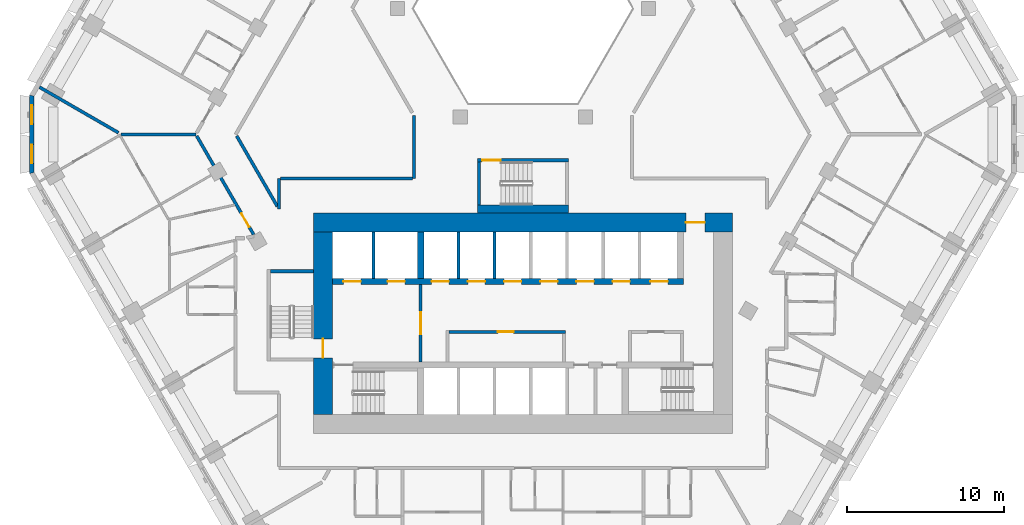
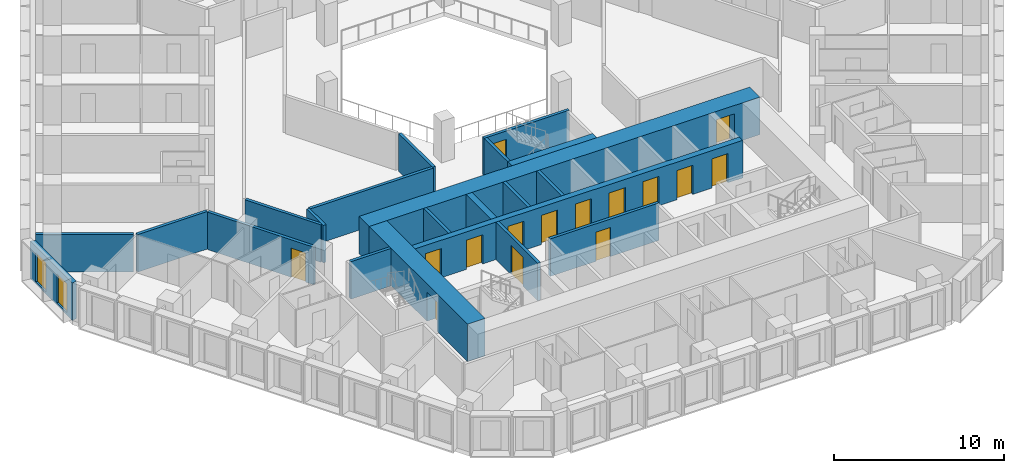
# One storey, part 5 of 21: 21 walls, 15 doors, 2 windows, 17 openings.
"""IFC4 building model written with IfcOpenShell, lengths in metres."""

from ifc_helpers import new_model, si_unit, direction, frame, frame_2d, origin, place, context, subcontext, project, spatial, polyline, rectangle, outline, extrude, material, layer, layer_set, type_object, element, fill, save


model = new_model("IFC4")

# Units and contexts
model_context = context("Model", 3, precision=1e-05, world=origin(), true_north=direction((0.0, 1.0)))
body_context = subcontext(model_context, "Body", "Model", "MODEL_VIEW")
ifc_project = project(units=[si_unit("LENGTHUNIT", "METRE"), si_unit("AREAUNIT", "SQUARE_METRE"), si_unit("VOLUMEUNIT", "CUBIC_METRE"), si_unit("PLANEANGLEUNIT", "RADIAN"), si_unit("MASSUNIT", "GRAM", prefix="KILO")], contexts=[model_context])

# Site, building, storey
site_placement = place(None, origin())
site = spatial("IfcSite", under=ifc_project, at=site_placement, CompositionType="ELEMENT")
building_placement = place(site_placement, origin())
building = spatial("IfcBuilding", under=site, at=building_placement, Name="Beryl Residences", CompositionType="ELEMENT")
storey_placement = place(building_placement, frame((0.0, 0.0, 53.39990234375)))
storey = spatial("IfcBuildingStorey", under=building, at=storey_placement, Name="L16", CompositionType="ELEMENT", Elevation=53.39990234375)

# Wall, openings, windows
ifc_material_1 = material(Name="Composite metal panel with mineral wool insulation")
ifc_layer_1 = layer(ifc_material_1, 0.300048828125)
ifc_layer_set_1 = layer_set([ifc_layer_1], Name="ES1 pale metal composite panel wall 300 mm")
wall_type_1 = type_object("IfcWallType", Name="ES1 pale metal composite panel wall 300 mm", PredefinedType="SOLIDWALL", material=ifc_layer_set_1)
wall_1_placement = place(storey_placement, frame((-31.199951171875, 2.5, 0.0), z_axis=(0.0, 0.0, 1.0), x_axis=(0.0, -1.0, 0.0)))
wall_1 = element("IfcWall", 1, at=wall_1_placement, inside=storey, type_object=wall_type_1, Name="ES1 external wall L16 NW-SW", PredefinedType="SOLIDWALL", context=body_context, shape_type="SweptSolid", body=[
    extrude(outline(polyline([(0.0, -0.14990234375), (5.0, -0.14990234375), (4.919677734375, 0.14990234375), (0.080322265625, 0.14990234375), (0.0, -0.14990234375)])), origin(), (0.0, 0.0, 1.0), 2.7001953125),
])
opening_1_placement = place(wall_1_placement, frame((0.64990234375, 0.0, 0.14990234375)))
opening_1 = element("IfcOpeningElement", 2, at=opening_1_placement, cuts=wall_1, Name="Opening W2", PredefinedType="OPENING", context=body_context, shape_type="SweptSolid", body=[
    extrude(rectangle(XDim=1.199951171875, YDim=2.10009765625, at=frame_2d((0.60009765625, 1.050048828125))), frame((0.0, 0.159912109375, 0.0), z_axis=(0.0, -1.0, 0.0), x_axis=(1.0, 0.0, 0.0)), (0.0, 0.0, 1.0), 0.320068359375),
])
opening_2_placement = place(wall_1_placement, frame((3.14990234375, 0.0, 0.14990234375)))
opening_2 = element("IfcOpeningElement", 3, at=opening_2_placement, cuts=wall_1, Name="Opening W2", PredefinedType="OPENING", context=body_context, shape_type="SweptSolid", body=[
    extrude(rectangle(XDim=1.199951171875, YDim=2.10009765625, at=frame_2d((0.60009765625, 1.050048828125))), frame((0.0, 0.159912109375, 0.0), z_axis=(0.0, -1.0, 0.0), x_axis=(1.0, 0.0, 0.0)), (0.0, 0.0, 1.0), 0.320068359375),
])
ifc_material_2 = material(Name="Aluminium and clear glass", Category="aluminium")
window_type = type_object("IfcWindowType", Name="W2 chamfer window 1200 x 2100 mm", PartitioningType="SINGLE_PANEL", PredefinedType="WINDOW", material=ifc_material_2)
window_1_placement = place(opening_1_placement, origin())
window_1 = element("IfcWindow", 4, at=window_1_placement, inside=storey, type_object=window_type, Name="W2 window L16 NW-SW 1", OverallHeight=2.10009765625, OverallWidth=1.199951171875, PartitioningType="SINGLE_PANEL", PredefinedType="WINDOW", context=body_context, shape_type="SweptSolid", body=[
    extrude(rectangle(XDim=1.199951171875, YDim=2.10009765625, at=frame_2d((0.60009765625, 1.050048828125))), frame((0.0, 0.030029296875, 0.0), z_axis=(0.0, -1.0, 0.0), x_axis=(1.0, 0.0, 0.0)), (0.0, 0.0, 1.0), 0.06005859375),
])
fill(opening_1, window_1)
window_2_placement = place(opening_2_placement, origin())
window_2 = element("IfcWindow", 5, at=window_2_placement, inside=storey, type_object=window_type, Name="W2 window L16 NW-SW 2", OverallHeight=2.10009765625, OverallWidth=1.199951171875, PartitioningType="SINGLE_PANEL", PredefinedType="WINDOW", context=body_context, shape_type="SweptSolid", body=[
    extrude(rectangle(XDim=1.199951171875, YDim=2.10009765625, at=frame_2d((0.60009765625, 1.050048828125))), frame((0.0, 0.030029296875, 0.0), z_axis=(0.0, -1.0, 0.0), x_axis=(1.0, 0.0, 0.0)), (0.0, 0.0, 1.0), 0.06005859375),
])
fill(opening_2, window_2)

# Wall, opening, door
ifc_material_3 = material(Name="Concrete masonry", Category="masonry")
ifc_layer_2 = layer(ifc_material_3, 0.199951171875)
ifc_layer_set_2 = layer_set([ifc_layer_2], Name="PT13 lobby wall 200 mm")
wall_type_2 = type_object("IfcWallType", Name="PT13 lobby wall 200 mm", PredefinedType="PARTITIONING", material=ifc_layer_set_2)
wall_2_placement = place(storey_placement, frame((-6.5, -14.449951171875, 0.0), z_axis=(0.0, 0.0, 1.0), x_axis=(0.0, 1.0, 0.0)))
wall_2 = element("IfcWall", 6, at=wall_2_placement, inside=storey, type_object=wall_type_2, Name="Lobby wall 06", PredefinedType="PARTITIONING", context=body_context, shape_type="SweptSolid", body=[
    extrude(rectangle(XDim=4.89990234375, YDim=0.199951171875, at=frame_2d((2.449951171875, 0.0))), origin(), (0.0, 0.0, 1.0), 2.7001953125),
])
opening_3_placement = place(wall_2_placement, frame((3.14990234375, 0.0, 0.0), z_axis=(0.0, 0.0, 1.0), x_axis=(-1.0, 0.0, 0.0)))
opening_3 = element("IfcOpeningElement", 7, at=opening_3_placement, cuts=wall_2, Name="Opening FD-FFL", PredefinedType="OPENING", context=body_context, shape_type="SweptSolid", body=[
    extrude(rectangle(XDim=1.39990234375, YDim=2.10009765625, at=frame_2d((0.699951171875, 1.050048828125))), frame((0.0, 0.10986328125, 0.0), z_axis=(0.0, -1.0, 0.0), x_axis=(1.0, 0.0, 0.0)), (0.0, 0.0, 1.0), 0.219970703125),
])
ifc_material_4 = material(Name="Steel door leaf in steel frame", Category="steel")
door_type_1 = type_object("IfcDoorType", Name="D5 lobby door 1400 x 2100 mm", OperationType="DOUBLE_DOOR_SINGLE_SWING", PredefinedType="DOOR", material=ifc_material_4)
door_1_placement = place(opening_3_placement, origin())
door_1 = element("IfcDoor", 8, at=door_1_placement, inside=storey, type_object=door_type_1, Name="Door FD-FFL L16 001", OperationType="DOUBLE_DOOR_SINGLE_SWING", OverallHeight=2.10009765625, OverallWidth=1.39990234375, PredefinedType="DOOR", context=body_context, shape_type="SweptSolid", body=[
    extrude(rectangle(XDim=1.39990234375, YDim=2.10009765625, at=frame_2d((0.699951171875, 1.050048828125))), frame((0.0, 0.02490234375, 0.0), z_axis=(0.0, -1.0, 0.0), x_axis=(1.0, 0.0, 0.0)), (0.0, 0.0, 1.0), 0.050048828125),
])
fill(opening_3, door_1)

wall_3_placement = place(storey_placement, frame((-4.699951171875, -12.550048828125, 0.0), z_axis=(0.0, 0.0, 1.0), x_axis=(1.0, 0.0, 0.0)))
wall_3 = element("IfcWall", 9, at=wall_3_placement, inside=storey, type_object=wall_type_2, Name="Lobby wall 08", PredefinedType="PARTITIONING", context=body_context, shape_type="SweptSolid", body=[
    extrude(rectangle(XDim=7.39990234375, YDim=0.199951171875, at=frame_2d((3.699951171875, 0.0))), origin(), (0.0, 0.0, 1.0), 2.7001953125),
])
opening_4_placement = place(wall_3_placement, frame((4.10009765625, 0.0, 0.0), z_axis=(0.0, 0.0, 1.0), x_axis=(-1.0, 0.0, 0.0)))
opening_4 = element("IfcOpeningElement", 10, at=opening_4_placement, cuts=wall_3, Name="Opening CD-D-A1", PredefinedType="OPENING", context=body_context, shape_type="SweptSolid", body=[
    extrude(rectangle(XDim=1.0, YDim=2.10009765625, at=frame_2d((0.5, 1.050048828125))), frame((0.0, 0.10986328125, 0.0), z_axis=(0.0, -1.0, 0.0), x_axis=(1.0, 0.0, 0.0)), (0.0, 0.0, 1.0), 0.219970703125),
])
ifc_material_5 = material(Name="Steel door leaf in steel frame", Category="steel")
door_type_2 = type_object("IfcDoorType", Name="D18 service room door 1000 x 2100 mm", OperationType="SINGLE_SWING_LEFT", PredefinedType="DOOR", material=ifc_material_5)
door_2_placement = place(opening_4_placement, origin())
door_2 = element("IfcDoor", 11, at=door_2_placement, inside=storey, type_object=door_type_2, Name="Door CD-D-A1 L16 001", OperationType="SINGLE_SWING_RIGHT", OverallHeight=2.10009765625, OverallWidth=1.0, PredefinedType="DOOR", context=body_context, shape_type="SweptSolid", body=[
    extrude(rectangle(XDim=1.0, YDim=2.10009765625, at=frame_2d((0.5, 1.050048828125))), frame((0.0, 0.02490234375, 0.0), z_axis=(0.0, -1.0, 0.0), x_axis=(1.0, 0.0, 0.0)), (0.0, 0.0, 1.0), 0.050048828125),
])
fill(opening_4, door_2)

# Walls
ifc_material_6 = material(Name="Acoustic double stud gypsum board wall")
ifc_layer_3 = layer(ifc_material_6, 0.199951171875)
ifc_layer_set_3 = layer_set([ifc_layer_3], Name="PT3 party wall 200 mm acoustic double stud")
wall_type_3 = type_object("IfcWallType", Name="PT3 party wall 200 mm acoustic double stud", PredefinedType="PARTITIONING", material=ifc_layer_set_3)
wall_4_placement = place(storey_placement, frame((-30.716064453125, 2.9990234375, 0.0), z_axis=(0.0, 0.0, 1.0), x_axis=(0.866032775405, -0.499987231761, 0.0)))
element("IfcWall", 12, at=wall_4_placement, inside=storey, type_object=wall_type_3, Name="Wall PT3 L16 009", PredefinedType="PARTITIONING", context=body_context, shape_type="SweptSolid", body=[
    extrude(rectangle(XDim=5.800048828125, YDim=0.199951171875, at=frame_2d((2.89990234375, 0.0))), origin(), (0.0, 0.0, 1.0), 2.7001953125),
])
wall_5_placement = place(storey_placement, frame((-25.52001953125, -0.0009765625, 0.0), z_axis=(0.0, 0.0, 1.0), x_axis=(1.0, 0.0, 0.0)))
element("IfcWall", 13, at=wall_5_placement, inside=storey, type_object=wall_type_3, Name="Wall PT3 L16 014", PredefinedType="PARTITIONING", context=body_context, shape_type="SweptSolid", body=[
    extrude(rectangle(XDim=4.736083984375, YDim=0.199951171875, at=frame_2d((2.3681640625, 0.0))), origin(), (0.0, 0.0, 1.0), 2.7001953125),
])
ifc_material_7 = material(Name="Double stud gypsum board wall")
ifc_layer_4 = layer(ifc_material_7, 0.199951171875)
ifc_layer_set_4 = layer_set([ifc_layer_4], Name="PT4 corridor wall 200 mm double stud")
wall_type_4 = type_object("IfcWallType", Name="PT4 corridor wall 200 mm double stud", PredefinedType="PARTITIONING", material=ifc_layer_set_4)
wall_6_placement = place(storey_placement, frame((-18.18603515625, -0.10107421875, 0.0), z_axis=(0.0, 0.0, 1.0), x_axis=(0.499997591167, -0.86602679452, 0.0)))
element("IfcWall", 14, at=wall_6_placement, inside=storey, type_object=wall_type_4, Name="Wall PT4 L16 002", PredefinedType="PARTITIONING", context=body_context, shape_type="SweptSolid", body=[
    extrude(rectangle(XDim=5.171875, YDim=0.199951171875, at=frame_2d((2.5859375, 0.0))), origin(), (0.0, 0.0, 1.0), 2.7001953125),
])

# Wall, opening, door
wall_7_placement = place(storey_placement, frame((-20.72705078125, -0.10107421875, 0.0), z_axis=(0.0, 0.0, 1.0), x_axis=(0.500070814966, -0.865984514884, 0.0)))
wall_7 = element("IfcWall", 15, at=wall_7_placement, inside=storey, type_object=wall_type_4, Name="Wall PT4 L16 003", PredefinedType="PARTITIONING", context=body_context, shape_type="SweptSolid", body=[
    extrude(rectangle(XDim=7.2392578125, YDim=0.199951171875, at=frame_2d((3.61962890625, 0.0))), origin(), (0.0, 0.0, 1.0), 2.7001953125),
])
opening_5_placement = place(wall_7_placement, frame((5.680908203125, 0.0, 0.0)))
opening_5 = element("IfcOpeningElement", 16, at=opening_5_placement, cuts=wall_7, Name="Opening D0211", PredefinedType="OPENING", context=body_context, shape_type="SweptSolid", body=[
    extrude(rectangle(XDim=1.0, YDim=2.10009765625, at=frame_2d((0.5, 1.050048828125))), frame((0.0, 0.10986328125, 0.0), z_axis=(0.0, -1.0, 0.0), x_axis=(1.0, 0.0, 0.0)), (0.0, 0.0, 1.0), 0.219970703125),
])
ifc_material_8 = material(Name="Timber door leaf", Category="wood")
door_type_3 = type_object("IfcDoorType", Name="D1 flat entrance door 1000 x 2100 mm", OperationType="SINGLE_SWING_LEFT", PredefinedType="DOOR", material=ifc_material_8)
door_3_placement = place(opening_5_placement, origin())
door_3 = element("IfcDoor", 17, at=door_3_placement, inside=storey, type_object=door_type_3, Name="Door D0211 L16 001", OperationType="SINGLE_SWING_LEFT", OverallHeight=2.10009765625, OverallWidth=1.0, PredefinedType="DOOR", context=body_context, shape_type="SweptSolid", body=[
    extrude(rectangle(XDim=1.0, YDim=2.10009765625, at=frame_2d((0.5, 1.050048828125))), frame((0.0, 0.02490234375, 0.0), z_axis=(0.0, -1.0, 0.0), x_axis=(1.0, 0.0, 0.0)), (0.0, 0.0, 1.0), 0.050048828125),
])
fill(opening_5, door_3)

# Walls
wall_8_placement = place(storey_placement, frame((-15.39990234375, -2.800048828125, 0.0), z_axis=(0.0, 0.0, 1.0), x_axis=(1.0, 0.0, 0.0)))
element("IfcWall", 18, at=wall_8_placement, inside=storey, type_object=wall_type_4, Name="Wall PT4 L16 015", PredefinedType="PARTITIONING", context=body_context, shape_type="SweptSolid", body=[
    extrude(rectangle(XDim=8.371826171875, YDim=0.199951171875, at=frame_2d((4.18603515625, 0.0))), origin(), (0.0, 0.0, 1.0), 2.7001953125),
])
wall_9_placement = place(storey_placement, frame((-6.927978515625, -2.800048828125, 0.0), z_axis=(0.0, 0.0, 1.0), x_axis=(0.0, 1.0, 0.0)))
element("IfcWall", 19, at=wall_9_placement, inside=storey, type_object=wall_type_4, Name="Wall PT4 L16 032", PredefinedType="PARTITIONING", context=body_context, shape_type="SweptSolid", body=[
    extrude(rectangle(XDim=4.0, YDim=0.199951171875, at=frame_2d((2.0, 0.0))), origin(), (0.0, 0.0, 1.0), 2.7001953125),
])
wall_10_placement = place(storey_placement, frame((-15.5, -4.75390625, 0.0), z_axis=(0.0, 0.0, 1.0), x_axis=(0.0, 1.0, 0.0)))
element("IfcWall", 20, at=wall_10_placement, inside=storey, type_object=wall_type_4, Name="Wall PT4 L16 033", PredefinedType="PARTITIONING", context=body_context, shape_type="SweptSolid", body=[
    extrude(rectangle(XDim=1.953857421875, YDim=0.199951171875, at=frame_2d((0.97705078125, 0.0))), origin(), (0.0, 0.0, 1.0), 2.7001953125),
])

# Wall, opening, door
ifc_material_9 = material(Name="Concrete C40/50", Category="concrete")
ifc_layer_5 = layer(ifc_material_9, 0.199951171875)
ifc_layer_set_5 = layer_set([ifc_layer_5], Name="PT5 stair enclosure wall 200 mm reinforced concrete C40/50")
wall_type_5 = type_object("IfcWallType", Name="PT5 stair enclosure wall 200 mm reinforced concrete C40/50", PredefinedType="SOLIDWALL", material=ifc_layer_set_5)
wall_11_placement = place(storey_placement, frame((-2.89990234375, -1.64990234375, 0.0), z_axis=(0.0, 0.0, 1.0), x_axis=(1.0, 0.0, 0.0)))
wall_11 = element("IfcWall", 21, at=wall_11_placement, inside=storey, type_object=wall_type_5, Name="Wall PT5 L16 001", PredefinedType="SOLIDWALL", context=body_context, shape_type="SweptSolid", body=[
    extrude(rectangle(XDim=5.7998046875, YDim=0.199951171875, at=frame_2d((2.89990234375, 0.0))), origin(), (0.0, 0.0, 1.0), 2.7001953125),
])
opening_6_placement = place(wall_11_placement, frame((0.300048828125, 0.0, 0.0)))
opening_6 = element("IfcOpeningElement", 22, at=opening_6_placement, cuts=wall_11, Name="Opening DS04", PredefinedType="OPENING", context=body_context, shape_type="SweptSolid", body=[
    extrude(rectangle(XDim=1.199951171875, YDim=2.10009765625, at=frame_2d((0.60009765625, 1.050048828125))), frame((0.0, 0.10986328125, 0.0), z_axis=(0.0, -1.0, 0.0), x_axis=(1.0, 0.0, 0.0)), (0.0, 0.0, 1.0), 0.219970703125),
])
ifc_material_10 = material(Name="Steel door leaf in steel frame", Category="steel")
door_type_4 = type_object("IfcDoorType", Name="D4 stair door 1200 x 2100 mm", OperationType="SINGLE_SWING_LEFT", PredefinedType="DOOR", material=ifc_material_10)
door_4_placement = place(opening_6_placement, origin())
door_4 = element("IfcDoor", 23, at=door_4_placement, inside=storey, type_object=door_type_4, Name="Door DS04 L16 001", OperationType="SINGLE_SWING_LEFT", OverallHeight=2.10009765625, OverallWidth=1.199951171875, PredefinedType="DOOR", context=body_context, shape_type="SweptSolid", body=[
    extrude(rectangle(XDim=1.199951171875, YDim=2.10009765625, at=frame_2d((0.60009765625, 1.050048828125))), frame((0.0, 0.02490234375, 0.0), z_axis=(0.0, -1.0, 0.0), x_axis=(1.0, 0.0, 0.0)), (0.0, 0.0, 1.0), 0.050048828125),
])
fill(opening_6, door_4)

# Walls
for number, where, z_axis, x_axis, name in (
    (24, (-2.800048828125, -4.5, 0.0), (0.0, 0.0, 1.0), (0.0, 1.0, 0.0), "Wall PT5 L16 002"),
    (25, (-16.050048828125, -8.699951171875, 0.0), (0.0, 0.0, 1.0), (1.0, 0.0, 0.0), "Stair wall 03"),
):
    element("IfcWall", number, at=place(storey_placement, frame(where, z_axis=z_axis, x_axis=x_axis)), inside=storey, type_object=wall_type_5, Name=name, PredefinedType="SOLIDWALL", context=body_context, shape_type="SweptSolid", body=[
        extrude(rectangle(XDim=2.75, YDim=0.199951171875, at=frame_2d((1.375, 0.0))), origin(), (0.0, 0.0, 1.0), 2.7001953125),
    ])
ifc_material_11 = material(Name="Concrete C40/50", Category="concrete")
ifc_layer_6 = layer(ifc_material_11, 0.5)
ifc_layer_set_6 = layer_set([ifc_layer_6], Name="PT5-500 stair enclosure wall 500 mm")
wall_type_6 = type_object("IfcWallType", Name="PT5-500 stair enclosure wall 500 mm", PredefinedType="SOLIDWALL", material=ifc_layer_set_6)
wall_12_placement = place(storey_placement, frame((-2.89990234375, -4.75, 0.0), z_axis=(0.0, 0.0, 1.0), x_axis=(1.0, 0.0, 0.0)))
element("IfcWall", 26, at=wall_12_placement, inside=storey, type_object=wall_type_6, Name="Wall PT5-500 L16 001", PredefinedType="SOLIDWALL", context=body_context, shape_type="SweptSolid", body=[
    extrude(rectangle(XDim=5.7998046875, YDim=0.5, at=frame_2d((2.89990234375, 0.0))), origin(), (0.0, 0.0, 1.0), 2.7001953125),
])
ifc_material_12 = material(Name="Concrete C40/50", Category="concrete")
ifc_layer_7 = layer(ifc_material_12, 0.199951171875)
ifc_layer_set_7 = layer_set([ifc_layer_7], Name="PT6 lift shaft wall 200 mm reinforced concrete C40/50")
wall_type_7 = type_object("IfcWallType", Name="PT6 lift shaft wall 200 mm reinforced concrete C40/50", PredefinedType="SOLIDWALL", material=ifc_layer_set_7)
for number, where, z_axis, x_axis, name in (
    (27, (-9.5, -9.14990234375, 0.0), (0.0, 0.0, 1.0), (0.0, 1.0, 0.0), "Lift shaft wall 05"),
    (28, (-4.10009765625, -9.14990234375, 0.0), (0.0, 0.0, 1.0), (0.0, 1.0, 0.0), "Lift shaft wall 10"),
    (29, (-1.800048828125, -9.14990234375, 0.0), (0.0, 0.0, 1.0), (0.0, 1.0, 0.0), "Lift shaft wall 12"),
):
    element("IfcWall", number, at=place(storey_placement, frame(where, z_axis=z_axis, x_axis=x_axis)), inside=storey, type_object=wall_type_7, Name=name, PredefinedType="SOLIDWALL", context=body_context, shape_type="SweptSolid", body=[
        extrude(rectangle(XDim=2.949951171875, YDim=0.199951171875, at=frame_2d((1.47509765625, 0.0))), origin(), (0.0, 0.0, 1.0), 2.7001953125),
    ])

# Wall, opening, door
ifc_material_13 = material(Name="Concrete C80/95", Category="concrete")
ifc_layer_8 = layer(ifc_material_13, 1.199951171875)
ifc_layer_set_8 = layer_set([ifc_layer_8], Name="SW1 core outer wall 1200 mm C80/95")
wall_type_8 = type_object("IfcWallType", Name="SW1 core outer wall 1200 mm C80/95", PredefinedType="SHEAR", material=ifc_layer_set_8)
wall_13_placement = place(storey_placement, frame((-13.300048828125, -5.60009765625, 0.0), z_axis=(0.0, 0.0, 1.0), x_axis=(1.0, 0.0, 0.0)))
wall_13 = element("IfcWall", 30, at=wall_13_placement, inside=storey, type_object=wall_type_8, Name="Core wall N L16", PredefinedType="SHEAR", context=body_context, shape_type="SweptSolid", body=[
    extrude(rectangle(XDim=26.60009765625, YDim=1.199951171875, at=frame_2d((13.300048828125, 0.0))), origin(), (0.0, 0.0, 1.0), 2.7001953125),
])
opening_7_placement = place(wall_13_placement, frame((23.64990234375, 0.0, 0.0)))
opening_7 = element("IfcOpeningElement", 31, at=opening_7_placement, cuts=wall_13, Name="Opening FD-NORTH", PredefinedType="OPENING", context=body_context, shape_type="SweptSolid", body=[
    extrude(rectangle(XDim=1.199951171875, YDim=2.10009765625, at=frame_2d((0.60009765625, 1.050048828125))), frame((0.0, 0.60986328125, 0.0), z_axis=(0.0, -1.0, 0.0), x_axis=(1.0, 0.0, 0.0)), (0.0, 0.0, 1.0), 1.219970703125),
])
ifc_material_14 = material(Name="Steel door leaf in steel frame", Category="steel")
door_type_5 = type_object("IfcDoorType", Name="D22 lobby door 1200 x 2100 mm", OperationType="DOUBLE_DOOR_SINGLE_SWING", PredefinedType="DOOR", material=ifc_material_14)
door_5_placement = place(opening_7_placement, origin())
door_5 = element("IfcDoor", 32, at=door_5_placement, inside=storey, type_object=door_type_5, Name="Door FD-NORTH L16 001", OperationType="DOUBLE_DOOR_SINGLE_SWING", OverallHeight=2.10009765625, OverallWidth=1.199951171875, PredefinedType="DOOR", context=body_context, shape_type="SweptSolid", body=[
    extrude(rectangle(XDim=1.199951171875, YDim=2.10009765625, at=frame_2d((0.60009765625, 1.050048828125))), frame((0.0, 0.02490234375, 0.0), z_axis=(0.0, -1.0, 0.0), x_axis=(1.0, 0.0, 0.0)), (0.0, 0.0, 1.0), 0.050048828125),
])
fill(opening_7, door_5)

wall_14_placement = place(storey_placement, frame((-12.699951171875, -17.800048828125, 0.0), z_axis=(0.0, 0.0, 1.0), x_axis=(0.0, 1.0, 0.0)))
wall_14 = element("IfcWall", 33, at=wall_14_placement, inside=storey, type_object=wall_type_8, Name="Core wall W L16", PredefinedType="SHEAR", context=body_context, shape_type="SweptSolid", body=[
    extrude(rectangle(XDim=11.60009765625, YDim=1.199951171875, at=frame_2d((5.800048828125, 0.0))), origin(), (0.0, 0.0, 1.0), 2.7001953125),
])
opening_8_placement = place(wall_14_placement, frame((3.60009765625, 0.0, 0.0)))
opening_8 = element("IfcOpeningElement", 34, at=opening_8_placement, cuts=wall_14, Name="Opening SD-2", PredefinedType="OPENING", context=body_context, shape_type="SweptSolid", body=[
    extrude(rectangle(XDim=1.199951171875, YDim=2.10009765625, at=frame_2d((0.60009765625, 1.050048828125))), frame((0.0, 0.60986328125, 0.0), z_axis=(0.0, -1.0, 0.0), x_axis=(1.0, 0.0, 0.0)), (0.0, 0.0, 1.0), 1.219970703125),
])
door_6_placement = place(opening_8_placement, origin())
door_6 = element("IfcDoor", 35, at=door_6_placement, inside=storey, type_object=door_type_4, Name="Door SD-2 L16 001", OperationType="SINGLE_SWING_RIGHT", OverallHeight=2.10009765625, OverallWidth=1.199951171875, PredefinedType="DOOR", context=body_context, shape_type="SweptSolid", body=[
    extrude(rectangle(XDim=1.199951171875, YDim=2.10009765625, at=frame_2d((0.60009765625, 1.050048828125))), frame((0.0, 0.02490234375, 0.0), z_axis=(0.0, -1.0, 0.0), x_axis=(1.0, 0.0, 0.0)), (0.0, 0.0, 1.0), 0.050048828125),
])
fill(opening_8, door_6)

# Wall, openings, doors
ifc_material_15 = material(Name="Concrete C80/95", Category="concrete")
ifc_layer_9 = layer(ifc_material_15, 0.39990234375)
ifc_layer_set_9 = layer_set([ifc_layer_9], Name="SW6 core internal wall 400 mm C80/95")
wall_type_9 = type_object("IfcWallType", Name="SW6 core internal wall 400 mm C80/95", PredefinedType="SHEAR", material=ifc_layer_set_9)
wall_15_placement = place(storey_placement, frame((-12.10009765625, -9.35009765625, 0.0), z_axis=(0.0, 0.0, 1.0), x_axis=(1.0, 0.0, 0.0)))
wall_15 = element("IfcWall", 36, at=wall_15_placement, inside=storey, type_object=wall_type_9, Name="Core wall SP2 L16", PredefinedType="SHEAR", context=body_context, shape_type="SweptSolid", body=[
    extrude(rectangle(XDim=22.300048828125, YDim=0.39990234375, at=frame_2d((11.14990234375, 0.0))), origin(), (0.0, 0.0, 1.0), 2.7001953125),
])
opening_9_placement = place(wall_15_placement, frame((0.699951171875, 0.0, 0.0)))
opening_9 = element("IfcOpeningElement", 37, at=opening_9_placement, cuts=wall_15, Name="Opening LD-FF1", PredefinedType="OPENING", context=body_context, shape_type="SweptSolid", body=[
    extrude(rectangle(XDim=1.10009765625, YDim=2.10009765625, at=frame_2d((0.550048828125, 1.050048828125))), frame((0.0, 0.2099609375, 0.0), z_axis=(0.0, -1.0, 0.0), x_axis=(1.0, 0.0, 0.0)), (0.0, 0.0, 1.0), 0.419921875),
])
opening_10_placement = place(wall_15_placement, frame((3.5, 0.0, 0.0)))
opening_10 = element("IfcOpeningElement", 38, at=opening_10_placement, cuts=wall_15, Name="Opening LD-FF2", PredefinedType="OPENING", context=body_context, shape_type="SweptSolid", body=[
    extrude(rectangle(XDim=1.10009765625, YDim=2.10009765625, at=frame_2d((0.550048828125, 1.050048828125))), frame((0.0, 0.2099609375, 0.0), z_axis=(0.0, -1.0, 0.0), x_axis=(1.0, 0.0, 0.0)), (0.0, 0.0, 1.0), 0.419921875),
])
opening_11_placement = place(wall_15_placement, frame((6.300048828125, 0.0, 0.0)))
opening_11 = element("IfcOpeningElement", 39, at=opening_11_placement, cuts=wall_15, Name="Opening LD-LR1", PredefinedType="OPENING", context=body_context, shape_type="SweptSolid", body=[
    extrude(rectangle(XDim=1.10009765625, YDim=2.10009765625, at=frame_2d((0.550048828125, 1.050048828125))), frame((0.0, 0.2099609375, 0.0), z_axis=(0.0, -1.0, 0.0), x_axis=(1.0, 0.0, 0.0)), (0.0, 0.0, 1.0), 0.419921875),
])
opening_12_placement = place(wall_15_placement, frame((8.60009765625, 0.0, 0.0)))
opening_12 = element("IfcOpeningElement", 40, at=opening_12_placement, cuts=wall_15, Name="Opening LD-LR2", PredefinedType="OPENING", context=body_context, shape_type="SweptSolid", body=[
    extrude(rectangle(XDim=1.10009765625, YDim=2.10009765625, at=frame_2d((0.550048828125, 1.050048828125))), frame((0.0, 0.2099609375, 0.0), z_axis=(0.0, -1.0, 0.0), x_axis=(1.0, 0.0, 0.0)), (0.0, 0.0, 1.0), 0.419921875),
])
opening_13_placement = place(wall_15_placement, frame((10.89990234375, 0.0, 0.0)))
opening_13 = element("IfcOpeningElement", 41, at=opening_13_placement, cuts=wall_15, Name="Opening LD-LR3", PredefinedType="OPENING", context=body_context, shape_type="SweptSolid", body=[
    extrude(rectangle(XDim=1.10009765625, YDim=2.10009765625, at=frame_2d((0.550048828125, 1.050048828125))), frame((0.0, 0.2099609375, 0.0), z_axis=(0.0, -1.0, 0.0), x_axis=(1.0, 0.0, 0.0)), (0.0, 0.0, 1.0), 0.419921875),
])
opening_14_placement = place(wall_15_placement, frame((13.199951171875, 0.0, 0.0)))
opening_14 = element("IfcOpeningElement", 42, at=opening_14_placement, cuts=wall_15, Name="Opening LD-LR4", PredefinedType="OPENING", context=body_context, shape_type="SweptSolid", body=[
    extrude(rectangle(XDim=1.10009765625, YDim=2.10009765625, at=frame_2d((0.550048828125, 1.050048828125))), frame((0.0, 0.2099609375, 0.0), z_axis=(0.0, -1.0, 0.0), x_axis=(1.0, 0.0, 0.0)), (0.0, 0.0, 1.0), 0.419921875),
])
opening_15_placement = place(wall_15_placement, frame((15.5, 0.0, 0.0)))
opening_15 = element("IfcOpeningElement", 43, at=opening_15_placement, cuts=wall_15, Name="Opening LD-LR5", PredefinedType="OPENING", context=body_context, shape_type="SweptSolid", body=[
    extrude(rectangle(XDim=1.10009765625, YDim=2.10009765625, at=frame_2d((0.550048828125, 1.050048828125))), frame((0.0, 0.2099609375, 0.0), z_axis=(0.0, -1.0, 0.0), x_axis=(1.0, 0.0, 0.0)), (0.0, 0.0, 1.0), 0.419921875),
])
opening_16_placement = place(wall_15_placement, frame((17.800048828125, 0.0, 0.0)))
opening_16 = element("IfcOpeningElement", 44, at=opening_16_placement, cuts=wall_15, Name="Opening LD-LR6", PredefinedType="OPENING", context=body_context, shape_type="SweptSolid", body=[
    extrude(rectangle(XDim=1.10009765625, YDim=2.10009765625, at=frame_2d((0.550048828125, 1.050048828125))), frame((0.0, 0.2099609375, 0.0), z_axis=(0.0, -1.0, 0.0), x_axis=(1.0, 0.0, 0.0)), (0.0, 0.0, 1.0), 0.419921875),
])
opening_17_placement = place(wall_15_placement, frame((20.199951171875, 0.0, 0.0)))
opening_17 = element("IfcOpeningElement", 45, at=opening_17_placement, cuts=wall_15, Name="Opening LD-SL1", PredefinedType="OPENING", context=body_context, shape_type="SweptSolid", body=[
    extrude(rectangle(XDim=1.10009765625, YDim=2.10009765625, at=frame_2d((0.550048828125, 1.050048828125))), frame((0.0, 0.2099609375, 0.0), z_axis=(0.0, -1.0, 0.0), x_axis=(1.0, 0.0, 0.0)), (0.0, 0.0, 1.0), 0.419921875),
])
ifc_material_16 = material(Name="Stainless steel sliding door", Category="steel")
door_type_6 = type_object("IfcDoorType", Name="LD1 lift landing door 1100 x 2100 mm", OperationType="DOUBLE_DOOR_SLIDING", PredefinedType="DOOR", material=ifc_material_16)
door_7_placement = place(opening_9_placement, origin())
door_7 = element("IfcDoor", 46, at=door_7_placement, inside=storey, type_object=door_type_6, Name="Lift landing door FF1", OperationType="DOUBLE_DOOR_SLIDING", OverallHeight=2.10009765625, OverallWidth=1.10009765625, PredefinedType="DOOR", context=body_context, shape_type="SweptSolid", body=[
    extrude(rectangle(XDim=1.10009765625, YDim=2.10009765625, at=frame_2d((0.550048828125, 1.050048828125))), frame((0.0, 0.02490234375, 0.0), z_axis=(0.0, -1.0, 0.0), x_axis=(1.0, 0.0, 0.0)), (0.0, 0.0, 1.0), 0.050048828125),
])
fill(opening_9, door_7)
door_8_placement = place(opening_10_placement, origin())
door_8 = element("IfcDoor", 47, at=door_8_placement, inside=storey, type_object=door_type_6, Name="Lift landing door FF2", OperationType="DOUBLE_DOOR_SLIDING", OverallHeight=2.10009765625, OverallWidth=1.10009765625, PredefinedType="DOOR", context=body_context, shape_type="SweptSolid", body=[
    extrude(rectangle(XDim=1.10009765625, YDim=2.10009765625, at=frame_2d((0.550048828125, 1.050048828125))), frame((0.0, 0.02490234375, 0.0), z_axis=(0.0, -1.0, 0.0), x_axis=(1.0, 0.0, 0.0)), (0.0, 0.0, 1.0), 0.050048828125),
])
fill(opening_10, door_8)
door_9_placement = place(opening_11_placement, origin())
door_9 = element("IfcDoor", 48, at=door_9_placement, inside=storey, type_object=door_type_6, Name="Lift landing door LR1", OperationType="DOUBLE_DOOR_SLIDING", OverallHeight=2.10009765625, OverallWidth=1.10009765625, PredefinedType="DOOR", context=body_context, shape_type="SweptSolid", body=[
    extrude(rectangle(XDim=1.10009765625, YDim=2.10009765625, at=frame_2d((0.550048828125, 1.050048828125))), frame((0.0, 0.02490234375, 0.0), z_axis=(0.0, -1.0, 0.0), x_axis=(1.0, 0.0, 0.0)), (0.0, 0.0, 1.0), 0.050048828125),
])
fill(opening_11, door_9)
door_10_placement = place(opening_12_placement, origin())
door_10 = element("IfcDoor", 49, at=door_10_placement, inside=storey, type_object=door_type_6, Name="Lift landing door LR2", OperationType="DOUBLE_DOOR_SLIDING", OverallHeight=2.10009765625, OverallWidth=1.10009765625, PredefinedType="DOOR", context=body_context, shape_type="SweptSolid", body=[
    extrude(rectangle(XDim=1.10009765625, YDim=2.10009765625, at=frame_2d((0.550048828125, 1.050048828125))), frame((0.0, 0.02490234375, 0.0), z_axis=(0.0, -1.0, 0.0), x_axis=(1.0, 0.0, 0.0)), (0.0, 0.0, 1.0), 0.050048828125),
])
fill(opening_12, door_10)
door_11_placement = place(opening_13_placement, origin())
door_11 = element("IfcDoor", 50, at=door_11_placement, inside=storey, type_object=door_type_6, Name="Lift landing door LR3", OperationType="DOUBLE_DOOR_SLIDING", OverallHeight=2.10009765625, OverallWidth=1.10009765625, PredefinedType="DOOR", context=body_context, shape_type="SweptSolid", body=[
    extrude(rectangle(XDim=1.10009765625, YDim=2.10009765625, at=frame_2d((0.550048828125, 1.050048828125))), frame((0.0, 0.02490234375, 0.0), z_axis=(0.0, -1.0, 0.0), x_axis=(1.0, 0.0, 0.0)), (0.0, 0.0, 1.0), 0.050048828125),
])
fill(opening_13, door_11)
door_12_placement = place(opening_14_placement, origin())
door_12 = element("IfcDoor", 51, at=door_12_placement, inside=storey, type_object=door_type_6, Name="Lift landing door LR4", OperationType="DOUBLE_DOOR_SLIDING", OverallHeight=2.10009765625, OverallWidth=1.10009765625, PredefinedType="DOOR", context=body_context, shape_type="SweptSolid", body=[
    extrude(rectangle(XDim=1.10009765625, YDim=2.10009765625, at=frame_2d((0.550048828125, 1.050048828125))), frame((0.0, 0.02490234375, 0.0), z_axis=(0.0, -1.0, 0.0), x_axis=(1.0, 0.0, 0.0)), (0.0, 0.0, 1.0), 0.050048828125),
])
fill(opening_14, door_12)
door_13_placement = place(opening_15_placement, origin())
door_13 = element("IfcDoor", 52, at=door_13_placement, inside=storey, type_object=door_type_6, Name="Lift landing door LR5", OperationType="DOUBLE_DOOR_SLIDING", OverallHeight=2.10009765625, OverallWidth=1.10009765625, PredefinedType="DOOR", context=body_context, shape_type="SweptSolid", body=[
    extrude(rectangle(XDim=1.10009765625, YDim=2.10009765625, at=frame_2d((0.550048828125, 1.050048828125))), frame((0.0, 0.02490234375, 0.0), z_axis=(0.0, -1.0, 0.0), x_axis=(1.0, 0.0, 0.0)), (0.0, 0.0, 1.0), 0.050048828125),
])
fill(opening_15, door_13)
door_14_placement = place(opening_16_placement, origin())
door_14 = element("IfcDoor", 53, at=door_14_placement, inside=storey, type_object=door_type_6, Name="Lift landing door LR6", OperationType="DOUBLE_DOOR_SLIDING", OverallHeight=2.10009765625, OverallWidth=1.10009765625, PredefinedType="DOOR", context=body_context, shape_type="SweptSolid", body=[
    extrude(rectangle(XDim=1.10009765625, YDim=2.10009765625, at=frame_2d((0.550048828125, 1.050048828125))), frame((0.0, 0.02490234375, 0.0), z_axis=(0.0, -1.0, 0.0), x_axis=(1.0, 0.0, 0.0)), (0.0, 0.0, 1.0), 0.050048828125),
])
fill(opening_16, door_14)
door_15_placement = place(opening_17_placement, origin())
door_15 = element("IfcDoor", 54, at=door_15_placement, inside=storey, type_object=door_type_6, Name="Lift landing door SL1", OperationType="DOUBLE_DOOR_SLIDING", OverallHeight=2.10009765625, OverallWidth=1.10009765625, PredefinedType="DOOR", context=body_context, shape_type="SweptSolid", body=[
    extrude(rectangle(XDim=1.10009765625, YDim=2.10009765625, at=frame_2d((0.550048828125, 1.050048828125))), frame((0.0, 0.02490234375, 0.0), z_axis=(0.0, -1.0, 0.0), x_axis=(1.0, 0.0, 0.0)), (0.0, 0.0, 1.0), 0.050048828125),
])
fill(opening_17, door_15)

# Wall
wall_16_placement = place(storey_placement, frame((-6.5, -9.14990234375, 0.0), z_axis=(0.0, 0.0, 1.0), x_axis=(0.0, 1.0, 0.0)))
element("IfcWall", 55, at=wall_16_placement, inside=storey, type_object=wall_type_9, Name="Core wall XN1 L16", PredefinedType="SHEAR", context=body_context, shape_type="SweptSolid", body=[
    extrude(rectangle(XDim=2.949951171875, YDim=0.39990234375, at=frame_2d((1.47509765625, 0.0))), origin(), (0.0, 0.0, 1.0), 2.7001953125),
])

save(model, "model.ifc")
